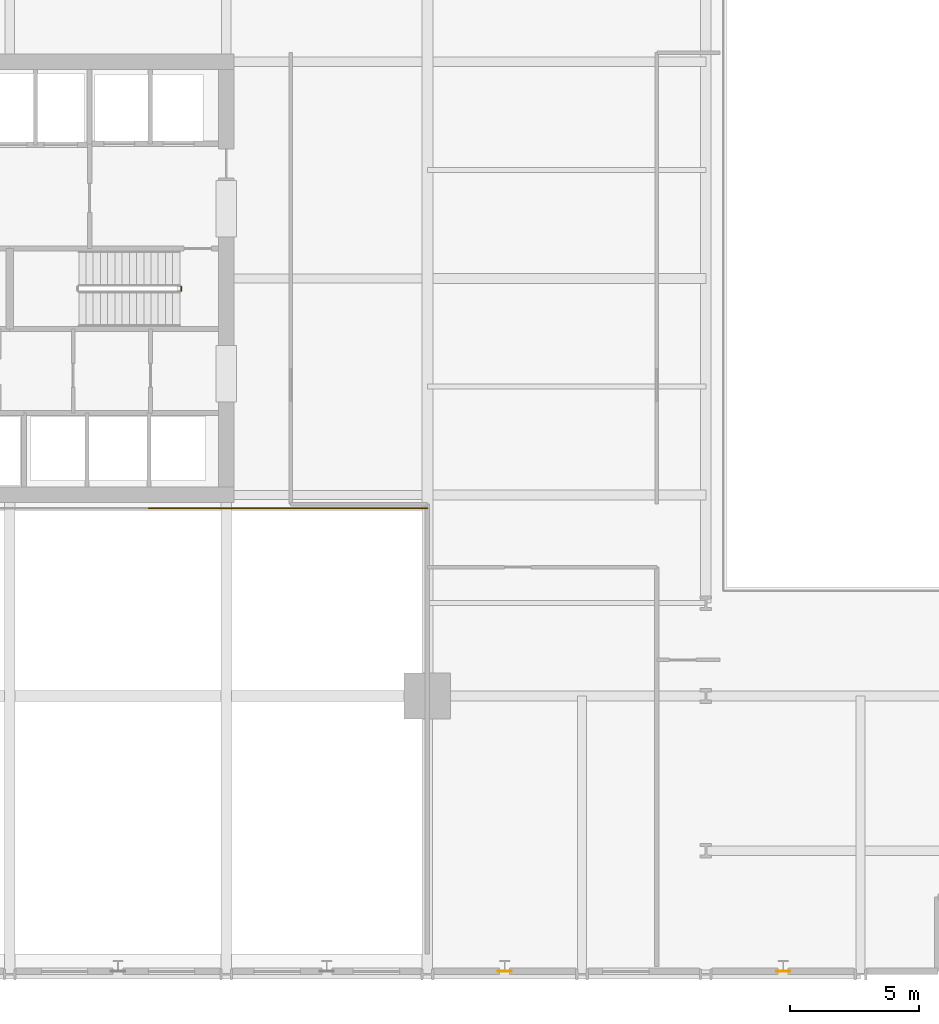
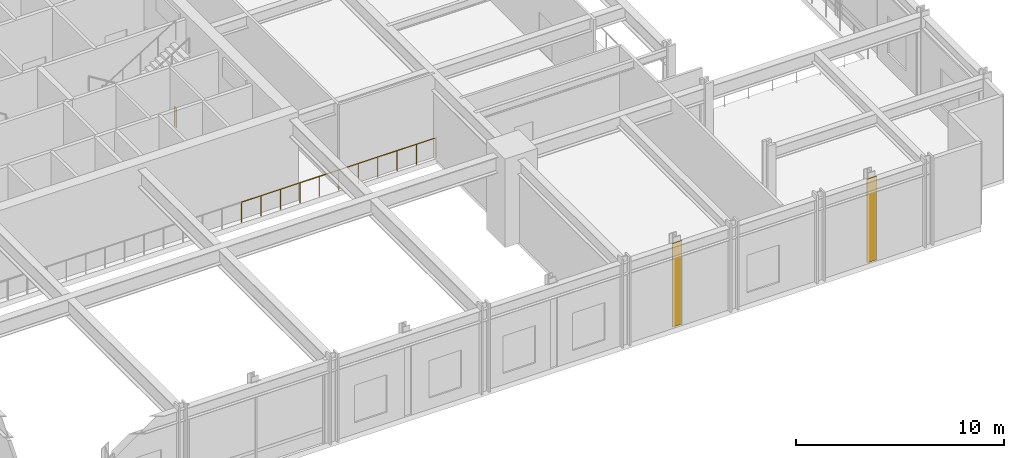
# One storey, part 17 of 19: 3 railings, 2 coverings.
"""IFC4 building model written with IfcOpenShell, lengths in metres."""

from ifc_helpers import new_model, si_unit, direction, frame, origin, origin_2d, place, context, subcontext, project, spatial, rectangle, circle, extrude, material, layer, layer_set, type_object, element, save


model = new_model("IFC4")

# Units and contexts
model_context = context("Model", 3, precision=1e-05, world=origin(), true_north=direction((0.0, 1.0)))
body_context = subcontext(model_context, "Body", "Model", "MODEL_VIEW")
ifc_project = project(units=[si_unit("LENGTHUNIT", "METRE"), si_unit("AREAUNIT", "SQUARE_METRE"), si_unit("VOLUMEUNIT", "CUBIC_METRE"), si_unit("PLANEANGLEUNIT", "RADIAN"), si_unit("MASSUNIT", "GRAM", prefix="KILO")], contexts=[model_context])

# Site, building, storey
site_placement = place(None, origin())
site = spatial("IfcSite", under=ifc_project, at=site_placement, CompositionType="ELEMENT")
building_placement = place(site_placement, origin())
building = spatial("IfcBuilding", under=site, at=building_placement, Name="Drelvath Grand Hotel", CompositionType="ELEMENT")
storey_placement = place(building_placement, frame((0.0, 0.0, 17.199951171875)))
storey = spatial("IfcBuildingStorey", under=building, at=storey_placement, Name="L03", CompositionType="ELEMENT", Elevation=17.199951171875)

# Railings
ifc_material_1 = material(Name="Architectural Bronze and Laminated Glass", Category="glass")
railing_type_1 = type_object("IfcRailingType", Name="Ballroom Overlook Balustrade 1200", PredefinedType="BALUSTRADE", material=ifc_material_1)
railing_1_placement = place(storey_placement, frame((5.39990234375, 18.080078125, 0.0)))
element("IfcRailing", 1, at=railing_1_placement, inside=storey, type_object=railing_type_1, Name="Grand Ballroom Mezzanine Balustrade 5", PredefinedType="BALUSTRADE", context=body_context, shape_type="SweptSolid", body=[
    extrude(circle(Radius=0.02392578125, at=origin_2d()), frame((0.0, 0.0, 1.17578125), z_axis=(1.0, 0.0, 0.0), x_axis=(0.0, 1.0, 0.0)), (0.0, 0.0, 1.0), 5.400146484375),
    extrude(circle(Radius=0.02099609375, at=origin_2d()), origin(), (0.0, 0.0, 1.0), 1.15185546875),
    extrude(circle(Radius=0.02099609375, at=origin_2d()), frame((1.080078125, 0.0, 0.0)), (0.0, 0.0, 1.0), 1.15185546875),
    extrude(circle(Radius=0.02099609375, at=origin_2d()), frame((2.16015625, 0.0, 0.0)), (0.0, 0.0, 1.0), 1.15185546875),
    extrude(circle(Radius=0.02099609375, at=origin_2d()), frame((3.239990234375, 0.0, 0.0)), (0.0, 0.0, 1.0), 1.15185546875),
    extrude(circle(Radius=0.02099609375, at=origin_2d()), frame((4.320068359375, 0.0, 0.0)), (0.0, 0.0, 1.0), 1.15185546875),
    extrude(circle(Radius=0.02099609375, at=origin_2d()), frame((5.400146484375, 0.0, 0.0)), (0.0, 0.0, 1.0), 1.15185546875),
])
railing_2_placement = place(storey_placement, frame((10.800048828125, 18.080078125, 0.0)))
element("IfcRailing", 2, at=railing_2_placement, inside=storey, type_object=railing_type_1, Name="Grand Ballroom Mezzanine Balustrade 6", PredefinedType="BALUSTRADE", context=body_context, shape_type="SweptSolid", body=[
    extrude(circle(Radius=0.02392578125, at=origin_2d()), frame((0.0, 0.0, 1.17578125), z_axis=(1.0, 0.0, 0.0), x_axis=(0.0, 1.0, 0.0)), (0.0, 0.0, 1.0), 5.39990234375),
    extrude(circle(Radius=0.02099609375, at=origin_2d()), origin(), (0.0, 0.0, 1.0), 1.15185546875),
    extrude(circle(Radius=0.02099609375, at=origin_2d()), frame((1.080078125, 0.0, 0.0)), (0.0, 0.0, 1.0), 1.15185546875),
    extrude(circle(Radius=0.02099609375, at=origin_2d()), frame((2.159912109375, 0.0, 0.0)), (0.0, 0.0, 1.0), 1.15185546875),
    extrude(circle(Radius=0.02099609375, at=origin_2d()), frame((3.239990234375, 0.0, 0.0)), (0.0, 0.0, 1.0), 1.15185546875),
    extrude(circle(Radius=0.02099609375, at=origin_2d()), frame((4.31982421875, 0.0, 0.0)), (0.0, 0.0, 1.0), 1.15185546875),
    extrude(circle(Radius=0.02099609375, at=origin_2d()), frame((5.39990234375, 0.0, 0.0)), (0.0, 0.0, 1.0), 1.15185546875),
])

# Coverings
ifc_material_2 = material(Name="Warm Bronze Anodised Aluminium Cladding", Category="aluminium")
ifc_layer = layer(ifc_material_2, 0.034912109375)
ifc_layer_set = layer_set([ifc_layer], Name="Warm Bronze Anodised Aluminium Cladding")
covering_type = type_object("IfcCoveringType", Name="Bronze Anodised Pier Cladding Panel 35", PredefinedType="CLADDING", material=ifc_layer_set)
for number, where, z_axis, x_axis, name in (
    (3, (19.199951171875, 0.1201171875, 0.0), (0.0, 0.0, 1.0), (1.0, 0.0, 0.0), "L03 Colonnade Bronze Pier Cladding S5"),
    (4, (30.0, 0.1201171875, 0.0), (0.0, 0.0, 1.0), (1.0, 0.0, 0.0), "L03 Colonnade Bronze Pier Cladding S6"),
):
    element("IfcCovering", number, at=place(storey_placement, frame(where, z_axis=z_axis, x_axis=x_axis)), inside=storey, type_object=covering_type, Name=name, PredefinedType="CLADDING", context=body_context, shape_type="SweptSolid", body=[
        extrude(rectangle(XDim=0.550048828125, YDim=0.034912109375, at=origin_2d()), origin(), (0.0, 0.0, 1.0), 4.89990234375),
    ])

# Railing
ifc_material_3 = material(Name="Painted Steel S275", Category="steel")
railing_type_2 = type_object("IfcRailingType", Name="Core Stair Well Guardrail 1100", PredefinedType="GUARDRAIL", material=ifc_material_3)
railing_3_placement = place(storey_placement, frame((6.64990234375, 26.679931640625, 0.0)))
element("IfcRailing", 5, at=railing_3_placement, inside=storey, type_object=railing_type_2, Name="L03 ST-2 stair guard 4", PredefinedType="GUARDRAIL", context=body_context, shape_type="SweptSolid", body=[
    extrude(circle(Radius=0.02392578125, at=origin_2d()), frame((0.0, 0.0, 1.1259765625), z_axis=(0.0, -1.0, 0.0), x_axis=(1.0, 0.0, 0.0)), (0.0, 0.0, 1.0), 0.159912109375),
    extrude(circle(Radius=0.02099609375, at=origin_2d()), origin(), (0.0, 0.0, 1.0), 1.101806640625),
    extrude(circle(Radius=0.02099609375, at=origin_2d()), frame((0.0, -0.159912109375, 0.0)), (0.0, 0.0, 1.0), 1.101806640625),
])

save(model, "model.ifc")
